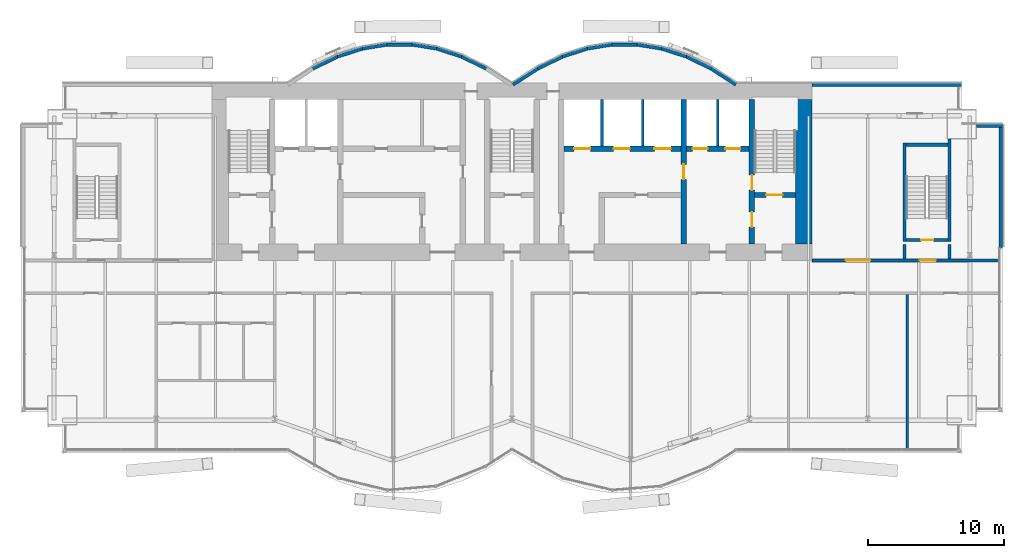
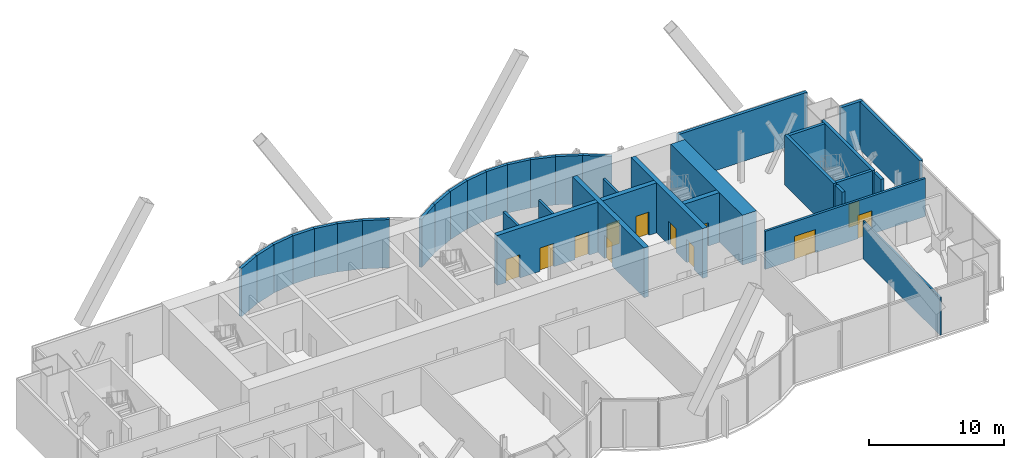
# One storey, part 15 of 19: 35 walls, 12 doors, 12 openings.
"""IFC4 building model written with IfcOpenShell, lengths in metres."""

from ifc_helpers import new_model, si_unit, direction, frame, frame_2d, origin, place, context, subcontext, project, spatial, rectangle, extrude, material, layer, layer_set, layer_usage, type_object, element, fill, save


model = new_model("IFC4")

# Units and contexts
model_context = context("Model", 3, precision=1e-05, world=origin(), true_north=direction((0.0, 1.0)))
body_context = subcontext(model_context, "Body", "Model", "MODEL_VIEW")
ifc_project = project(units=[si_unit("LENGTHUNIT", "METRE"), si_unit("AREAUNIT", "SQUARE_METRE"), si_unit("VOLUMEUNIT", "CUBIC_METRE"), si_unit("PLANEANGLEUNIT", "RADIAN"), si_unit("MASSUNIT", "GRAM", prefix="KILO")], contexts=[model_context])

# Site, building, storey
site_placement = place(None, origin())
site = spatial("IfcSite", under=ifc_project, at=site_placement, CompositionType="ELEMENT")
building_placement = place(site_placement, origin())
building = spatial("IfcBuilding", under=site, at=building_placement, Name="Bicima Exchange Tower", CompositionType="ELEMENT")
storey_placement = place(building_placement, frame((0.0, 0.0, 297.5)))
storey = spatial("IfcBuildingStorey", under=building, at=storey_placement, Name="L67", CompositionType="ELEMENT", Elevation=297.5)

# Walls
ifc_material_1 = material(Name="Gypsum board partition")
ifc_layer_1 = layer(ifc_material_1, 0.199951171875)
ifc_layer_set_1 = layer_set([ifc_layer_1], Name="Gypsum board partition")
wall_type_1 = type_object("IfcWallType", Name="Fire-rated gypsum partition 200 EI120", PredefinedType="PARTITIONING", material=ifc_layer_set_1)
for number, where, z_axis, x_axis, name in (
    (1, (6.60009765625, -4.60009765625, 0.0), (0.0, 0.0, 1.0), (0.0, 1.0, 0.0), "partition wall 18"),
    (2, (9.60009765625, -4.60009765625, 0.0), (0.0, 0.0, 1.0), (0.0, 1.0, 0.0), "partition wall 19"),
    (3, (15.10009765625, -4.60009765625, 0.0), (0.0, 0.0, 1.0), (0.0, 1.0, 0.0), "partition wall 21"),
):
    element("IfcWall", number, at=place(storey_placement, frame(where, z_axis=z_axis, x_axis=x_axis)), inside=storey, type_object=wall_type_1, Name=name, PredefinedType="PARTITIONING", context=body_context, shape_type="SweptSolid", body=[
        extrude(rectangle(XDim=3.400146484375, YDim=0.199951171875, at=frame_2d((1.7001953125, 0.0))), origin(), (0.0, 0.0, 1.0), 3.418212890625),
    ])

# Wall, openings, doors
ifc_layer_2 = layer(ifc_material_1, 0.199951171875)
ifc_layer_set_2 = layer_set([ifc_layer_2], Name="Gypsum board partition")
wall_type_2 = type_object("IfcWallType", Name="Fire-rated gypsum partition 200 EI60", PredefinedType="PARTITIONING", material=ifc_layer_set_2)
wall_1_placement = place(storey_placement, frame((22.0, -13.0, 0.0), z_axis=(0.0, 0.0, 1.0), x_axis=(1.0, 0.0, 0.0)))
wall_1 = element("IfcWall", 4, at=wall_1_placement, inside=storey, type_object=wall_type_2, Name="partition wall 6", PredefinedType="PARTITIONING", context=body_context, shape_type="SweptSolid", body=[
    extrude(rectangle(XDim=13.679931640625, YDim=0.199951171875, at=frame_2d((6.83984375, 0.0))), origin(), (0.0, 0.0, 1.0), 3.418212890625),
])
opening_1_placement = place(wall_1_placement, frame((7.89990234375, 0.0, 0.0)))
opening_1 = element("IfcOpeningElement", 5, at=opening_1_placement, cuts=wall_1, Name="Opening L67-003", PredefinedType="OPENING", context=body_context, shape_type="SweptSolid", body=[
    extrude(rectangle(XDim=1.199951171875, YDim=2.10009765625, at=frame_2d((0.60009765625, 1.050048828125))), frame((0.0, 0.11181640625, 0.0), z_axis=(0.0, -1.0, 0.0), x_axis=(1.0, 0.0, 0.0)), (0.0, 0.0, 1.0), 0.223876953125),
])
opening_2_placement = place(wall_1_placement, frame((2.5, 0.0, 0.0)))
opening_2 = element("IfcOpeningElement", 6, at=opening_2_placement, cuts=wall_1, Name="Opening L67-006", PredefinedType="OPENING", context=body_context, shape_type="SweptSolid", body=[
    extrude(rectangle(XDim=1.800048828125, YDim=2.10009765625, at=frame_2d((0.89990234375, 1.050048828125))), frame((0.0, 0.11181640625, 0.0), z_axis=(0.0, -1.0, 0.0), x_axis=(1.0, 0.0, 0.0)), (0.0, 0.0, 1.0), 0.223876953125),
])
ifc_material_2 = material(Name="Steel fire door leaf", Category="steel")
door_type_1 = type_object("IfcDoorType", Name="Door 1200 swing FD30S", OperationType="SINGLE_SWING_LEFT", PredefinedType="DOOR", material=ifc_material_2)
door_1_placement = place(opening_1_placement, origin())
door_1 = element("IfcDoor", 7, at=door_1_placement, inside=storey, type_object=door_type_1, Name="Door", OperationType="SINGLE_SWING_RIGHT", OverallHeight=2.10009765625, OverallWidth=1.199951171875, PredefinedType="DOOR", context=body_context, shape_type="SweptSolid", body=[
    extrude(rectangle(XDim=1.199951171875, YDim=2.10009765625, at=frame_2d((0.60009765625, 1.050048828125))), frame((0.0, 0.02490234375, 0.0), z_axis=(0.0, -1.0, 0.0), x_axis=(1.0, 0.0, 0.0)), (0.0, 0.0, 1.0), 0.050048828125),
])
fill(opening_1, door_1)
door_type_2 = type_object("IfcDoorType", Name="Door 1800 double swing FD30S", OperationType="DOUBLE_DOOR_SINGLE_SWING", PredefinedType="DOOR", material=ifc_material_2)
door_2_placement = place(opening_2_placement, origin())
door_2 = element("IfcDoor", 8, at=door_2_placement, inside=storey, type_object=door_type_2, Name="Door", OperationType="SINGLE_SWING_LEFT", OverallHeight=2.10009765625, OverallWidth=1.800048828125, PredefinedType="DOOR", context=body_context, shape_type="SweptSolid", body=[
    extrude(rectangle(XDim=1.800048828125, YDim=2.10009765625, at=frame_2d((0.89990234375, 1.050048828125))), frame((0.0, 0.02490234375, 0.0), z_axis=(0.0, -1.0, 0.0), x_axis=(1.0, 0.0, 0.0)), (0.0, 0.0, 1.0), 0.050048828125),
])
fill(opening_2, door_2)

# Walls
ifc_layer_3 = layer(ifc_material_1, 0.14990234375)
ifc_layer_set_3 = layer_set([ifc_layer_3], Name="Gypsum board partition")
wall_type_3 = type_object("IfcWallType", Name="Gypsum partition 150", PredefinedType="PARTITIONING", material=ifc_layer_set_3)
wall_2_placement = place(storey_placement, frame((29.0, -26.909912109375, 0.0), z_axis=(0.0, 0.0, 1.0), x_axis=(0.0, 1.0, 0.0)))
element("IfcWall", 9, at=wall_2_placement, inside=storey, type_object=wall_type_3, Name="partition wall 25", PredefinedType="PARTITIONING", context=body_context, shape_type="SweptSolid", body=[
    extrude(rectangle(XDim=11.409912109375, YDim=0.14990234375, at=frame_2d((5.705078125, 0.0))), origin(), (0.0, 0.0, 1.0), 3.418212890625),
])
ifc_material_3 = material(Name="Concrete C40/50", Category="concrete")
ifc_layer_4 = layer(ifc_material_3, 1.199951171875)
ifc_layer_set_4 = layer_set([ifc_layer_4], Name="Concrete C40/50")
wall_type_4 = type_object("IfcWallType", Name="RC core wall 1200 C40/50", PredefinedType="SHEAR", material=ifc_layer_set_4)
wall_3_placement = place(storey_placement, frame((21.39990234375, -11.800048828125, 0.0), z_axis=(0.0, 0.0, 1.0), x_axis=(0.0, 1.0, 0.0)))
element("IfcWall", 10, at=wall_3_placement, inside=storey, type_object=wall_type_4, Name="Core wall east", PredefinedType="SHEAR", context=body_context, shape_type="SweptSolid", body=[
    extrude(rectangle(XDim=10.60009765625, YDim=1.199951171875, at=frame_2d((5.300048828125, 0.0))), origin(), (0.0, 0.0, 1.0), 4.5),
])
ifc_material_4 = material(Name="Concrete C50/60", Category="concrete")
ifc_layer_5 = layer(ifc_material_4, 0.25)
ifc_layer_set_5 = layer_set([ifc_layer_5], Name="Concrete C50/60")
wall_type_5 = type_object("IfcWallType", Name="RC core wall 250 C50/60", PredefinedType="SHEAR", material=ifc_layer_set_5)
for number, where, z_axis, x_axis, name in (
    (11, (28.800048828125, -12.89990234375, 0.0), (0.0, 0.0, 1.0), (0.0, 1.0, 0.0), "stair wall 24"),
    (12, (32.10009765625, -12.89990234375, 0.0), (0.0, 0.0, 1.0), (0.0, 1.0, 0.0), "stair wall 26"),
):
    element("IfcWall", number, at=place(storey_placement, frame(where, z_axis=z_axis, x_axis=x_axis)), inside=storey, type_object=wall_type_5, Name=name, PredefinedType="SHEAR", context=body_context, shape_type="SweptSolid", body=[
        extrude(rectangle(XDim=1.0498046875, YDim=0.25, at=frame_2d((0.52490234375, 0.0))), origin(), (0.0, 0.0, 1.0), 4.5),
    ])

# Wall, openings, doors
ifc_layer_6 = layer(ifc_material_3, 0.39990234375)
ifc_layer_set_6 = layer_set([ifc_layer_6], Name="Concrete C40/50")
wall_type_6 = type_object("IfcWallType", Name="RC core wall 400 C40/50", PredefinedType="SHEAR", material=ifc_layer_set_6)
wall_4_placement = place(storey_placement, frame((3.800048828125, -4.800048828125, 0.0), z_axis=(0.0, 0.0, 1.0), x_axis=(1.0, 0.0, 0.0)))
wall_4 = element("IfcWall", 13, at=wall_4_placement, inside=storey, type_object=wall_type_6, Name="shear wall 7", PredefinedType="SHEAR", context=body_context, shape_type="SweptSolid", body=[
    extrude(rectangle(XDim=13.599853515625, YDim=0.39990234375, at=frame_2d((6.7998046875, 0.0))), origin(), (0.0, 0.0, 1.0), 4.5),
])
opening_3_placement = place(wall_4_placement, frame((0.75, 0.0, 0.0)))
opening_3 = element("IfcOpeningElement", 14, at=opening_3_placement, cuts=wall_4, Name="Opening LD-HB1-L67", PredefinedType="OPENING", context=body_context, shape_type="SweptSolid", body=[
    extrude(rectangle(XDim=1.199951171875, YDim=2.10009765625, at=frame_2d((0.60009765625, 1.050048828125))), frame((0.0, 0.2119140625, 0.0), z_axis=(0.0, -1.0, 0.0), x_axis=(1.0, 0.0, 0.0)), (0.0, 0.0, 1.0), 0.423828125),
])
opening_4_placement = place(wall_4_placement, frame((3.64990234375, 0.0, 0.0)))
opening_4 = element("IfcOpeningElement", 15, at=opening_4_placement, cuts=wall_4, Name="Opening LD-HB2-L67", PredefinedType="OPENING", context=body_context, shape_type="SweptSolid", body=[
    extrude(rectangle(XDim=1.199951171875, YDim=2.10009765625, at=frame_2d((0.60009765625, 1.050048828125))), frame((0.0, 0.2119140625, 0.0), z_axis=(0.0, -1.0, 0.0), x_axis=(1.0, 0.0, 0.0)), (0.0, 0.0, 1.0), 0.423828125),
])
opening_5_placement = place(wall_4_placement, frame((6.64990234375, 0.0, 0.0)))
opening_5 = element("IfcOpeningElement", 16, at=opening_5_placement, cuts=wall_4, Name="Opening LD-HB3-L67", PredefinedType="OPENING", context=body_context, shape_type="SweptSolid", body=[
    extrude(rectangle(XDim=1.199951171875, YDim=2.10009765625, at=frame_2d((0.60009765625, 1.050048828125))), frame((0.0, 0.2119140625, 0.0), z_axis=(0.0, -1.0, 0.0), x_axis=(1.0, 0.0, 0.0)), (0.0, 0.0, 1.0), 0.423828125),
])
opening_6_placement = place(wall_4_placement, frame((9.449951171875, 0.0, 0.0)))
opening_6 = element("IfcOpeningElement", 17, at=opening_6_placement, cuts=wall_4, Name="Opening LD-FF2-L67", PredefinedType="OPENING", context=body_context, shape_type="SweptSolid", body=[
    extrude(rectangle(XDim=1.10009765625, YDim=2.10009765625, at=frame_2d((0.550048828125, 1.050048828125))), frame((0.0, 0.2119140625, 0.0), z_axis=(0.0, -1.0, 0.0), x_axis=(1.0, 0.0, 0.0)), (0.0, 0.0, 1.0), 0.423828125),
])
opening_7_placement = place(wall_4_placement, frame((11.85009765625, 0.0, 0.0)))
opening_7 = element("IfcOpeningElement", 18, at=opening_7_placement, cuts=wall_4, Name="Opening LD-SV1-L67", PredefinedType="OPENING", context=body_context, shape_type="SweptSolid", body=[
    extrude(rectangle(XDim=1.10009765625, YDim=2.10009765625, at=frame_2d((0.550048828125, 1.050048828125))), frame((0.0, 0.2119140625, 0.0), z_axis=(0.0, -1.0, 0.0), x_axis=(1.0, 0.0, 0.0)), (0.0, 0.0, 1.0), 0.423828125),
])
ifc_material_5 = material(Name="Stainless steel", Category="steel")
door_type_3 = type_object("IfcDoorType", Name="Lift landing door 1100 sliding", OperationType="DOUBLE_DOOR_SLIDING", PredefinedType="DOOR", material=ifc_material_5)
door_3_placement = place(opening_6_placement, origin())
door_3 = element("IfcDoor", 19, at=door_3_placement, inside=storey, type_object=door_type_3, Name="Lift landing door FF2", OperationType="DOUBLE_DOOR_SLIDING", OverallHeight=2.10009765625, OverallWidth=1.10009765625, PredefinedType="DOOR", context=body_context, shape_type="SweptSolid", body=[
    extrude(rectangle(XDim=1.10009765625, YDim=2.10009765625, at=frame_2d((0.550048828125, 1.050048828125))), frame((0.0, 0.02490234375, 0.0), z_axis=(0.0, -1.0, 0.0), x_axis=(1.0, 0.0, 0.0)), (0.0, 0.0, 1.0), 0.050048828125),
])
fill(opening_6, door_3)
door_4_placement = place(opening_7_placement, origin())
door_4 = element("IfcDoor", 20, at=door_4_placement, inside=storey, type_object=door_type_3, Name="Lift landing door SV1", OperationType="DOUBLE_DOOR_SLIDING", OverallHeight=2.10009765625, OverallWidth=1.10009765625, PredefinedType="DOOR", context=body_context, shape_type="SweptSolid", body=[
    extrude(rectangle(XDim=1.10009765625, YDim=2.10009765625, at=frame_2d((0.550048828125, 1.050048828125))), frame((0.0, 0.02490234375, 0.0), z_axis=(0.0, -1.0, 0.0), x_axis=(1.0, 0.0, 0.0)), (0.0, 0.0, 1.0), 0.050048828125),
])
fill(opening_7, door_4)
door_type_4 = type_object("IfcDoorType", Name="Lift landing door 1200 sliding", OperationType="DOUBLE_DOOR_SLIDING", PredefinedType="DOOR", material=ifc_material_5)
door_5_placement = place(opening_3_placement, origin())
door_5 = element("IfcDoor", 21, at=door_5_placement, inside=storey, type_object=door_type_4, Name="Lift landing door HB1", OperationType="DOUBLE_DOOR_SLIDING", OverallHeight=2.10009765625, OverallWidth=1.199951171875, PredefinedType="DOOR", context=body_context, shape_type="SweptSolid", body=[
    extrude(rectangle(XDim=1.199951171875, YDim=2.10009765625, at=frame_2d((0.60009765625, 1.050048828125))), frame((0.0, 0.02490234375, 0.0), z_axis=(0.0, -1.0, 0.0), x_axis=(1.0, 0.0, 0.0)), (0.0, 0.0, 1.0), 0.050048828125),
])
fill(opening_3, door_5)
door_6_placement = place(opening_4_placement, origin())
door_6 = element("IfcDoor", 22, at=door_6_placement, inside=storey, type_object=door_type_4, Name="Lift landing door HB2", OperationType="DOUBLE_DOOR_SLIDING", OverallHeight=2.10009765625, OverallWidth=1.199951171875, PredefinedType="DOOR", context=body_context, shape_type="SweptSolid", body=[
    extrude(rectangle(XDim=1.199951171875, YDim=2.10009765625, at=frame_2d((0.60009765625, 1.050048828125))), frame((0.0, 0.02490234375, 0.0), z_axis=(0.0, -1.0, 0.0), x_axis=(1.0, 0.0, 0.0)), (0.0, 0.0, 1.0), 0.050048828125),
])
fill(opening_4, door_6)
door_7_placement = place(opening_5_placement, origin())
door_7 = element("IfcDoor", 23, at=door_7_placement, inside=storey, type_object=door_type_4, Name="Lift landing door HB3", OperationType="DOUBLE_DOOR_SLIDING", OverallHeight=2.10009765625, OverallWidth=1.199951171875, PredefinedType="DOOR", context=body_context, shape_type="SweptSolid", body=[
    extrude(rectangle(XDim=1.199951171875, YDim=2.10009765625, at=frame_2d((0.60009765625, 1.050048828125))), frame((0.0, 0.02490234375, 0.0), z_axis=(0.0, -1.0, 0.0), x_axis=(1.0, 0.0, 0.0)), (0.0, 0.0, 1.0), 0.050048828125),
])
fill(opening_5, door_7)

# Wall, opening, door
wall_5_placement = place(storey_placement, frame((12.60009765625, -11.800048828125, 0.0), z_axis=(0.0, 0.0, 1.0), x_axis=(0.0, 1.0, 0.0)))
wall_5 = element("IfcWall", 24, at=wall_5_placement, inside=storey, type_object=wall_type_6, Name="shear wall 20", PredefinedType="SHEAR", context=body_context, shape_type="SweptSolid", body=[
    extrude(rectangle(XDim=10.60009765625, YDim=0.39990234375, at=frame_2d((5.300048828125, 0.0))), origin(), (0.0, 0.0, 1.0), 4.5),
])
opening_8_placement = place(wall_5_placement, frame((4.75, 0.0, 0.0)))
opening_8 = element("IfcOpeningElement", 25, at=opening_8_placement, cuts=wall_5, Name="Opening L67-C09", PredefinedType="OPENING", context=body_context, shape_type="SweptSolid", body=[
    extrude(rectangle(XDim=1.10009765625, YDim=2.10009765625, at=frame_2d((0.550048828125, 1.050048828125))), frame((0.0, 0.2119140625, 0.0), z_axis=(0.0, -1.0, 0.0), x_axis=(1.0, 0.0, 0.0)), (0.0, 0.0, 1.0), 0.423828125),
])
door_type_5 = type_object("IfcDoorType", Name="Door 1100 swing FD60S", OperationType="SINGLE_SWING_LEFT", PredefinedType="DOOR", material=ifc_material_2)
door_8_placement = place(opening_8_placement, frame((1.10009765625, 0.0, 0.0), z_axis=(0.0, 0.0, 1.0), x_axis=(-1.0, 0.0, 0.0)))
door_8 = element("IfcDoor", 26, at=door_8_placement, inside=storey, type_object=door_type_5, Name="Core door", OperationType="SINGLE_SWING_RIGHT", OverallHeight=2.10009765625, OverallWidth=1.10009765625, PredefinedType="DOOR", context=body_context, shape_type="SweptSolid", body=[
    extrude(rectangle(XDim=1.10009765625, YDim=2.10009765625, at=frame_2d((0.550048828125, 1.050048828125))), frame((0.0, 0.02490234375, 0.0), z_axis=(0.0, -1.0, 0.0), x_axis=(1.0, 0.0, 0.0)), (0.0, 0.0, 1.0), 0.050048828125),
])
fill(opening_8, door_8)

ifc_layer_7 = layer(ifc_material_4, 0.39990234375)
ifc_layer_set_7 = layer_set([ifc_layer_7], Name="Concrete C50/60")
wall_type_7 = type_object("IfcWallType", Name="RC core wall 400 C50/60", PredefinedType="SHEAR", material=ifc_layer_set_7)
wall_6_placement = place(storey_placement, frame((17.800048828125, -8.199951171875, 0.0), z_axis=(0.0, 0.0, 1.0), x_axis=(1.0, 0.0, 0.0)))
wall_6 = element("IfcWall", 27, at=wall_6_placement, inside=storey, type_object=wall_type_7, Name="stair wall 5", PredefinedType="SHEAR", context=body_context, shape_type="SweptSolid", body=[
    extrude(rectangle(XDim=3.0, YDim=0.39990234375, at=frame_2d((1.5, 0.0))), origin(), (0.0, 0.0, 1.0), 4.5),
])
opening_9_placement = place(wall_6_placement, frame((0.85009765625, 0.0, 0.0)))
opening_9 = element("IfcOpeningElement", 28, at=opening_9_placement, cuts=wall_6, Name="Opening L67-C04", PredefinedType="OPENING", context=body_context, shape_type="SweptSolid", body=[
    extrude(rectangle(XDim=1.199951171875, YDim=2.10009765625, at=frame_2d((0.60009765625, 1.050048828125))), frame((0.0, 0.2119140625, 0.0), z_axis=(0.0, -1.0, 0.0), x_axis=(1.0, 0.0, 0.0)), (0.0, 0.0, 1.0), 0.423828125),
])
door_type_6 = type_object("IfcDoorType", Name="Door 1200 swing FD60S", OperationType="SINGLE_SWING_LEFT", PredefinedType="DOOR", material=ifc_material_2)
door_9_placement = place(opening_9_placement, origin())
door_9 = element("IfcDoor", 29, at=door_9_placement, inside=storey, type_object=door_type_6, Name="Core door", OperationType="SINGLE_SWING_RIGHT", OverallHeight=2.10009765625, OverallWidth=1.199951171875, PredefinedType="DOOR", context=body_context, shape_type="SweptSolid", body=[
    extrude(rectangle(XDim=1.199951171875, YDim=2.10009765625, at=frame_2d((0.60009765625, 1.050048828125))), frame((0.0, 0.02490234375, 0.0), z_axis=(0.0, -1.0, 0.0), x_axis=(1.0, 0.0, 0.0)), (0.0, 0.0, 1.0), 0.050048828125),
])
fill(opening_9, door_9)

# Wall, openings, doors
wall_7_placement = place(storey_placement, frame((17.60009765625, -11.800048828125, 0.0), z_axis=(0.0, 0.0, 1.0), x_axis=(0.0, 1.0, 0.0)))
wall_7 = element("IfcWall", 30, at=wall_7_placement, inside=storey, type_object=wall_type_7, Name="stair wall 22", PredefinedType="SHEAR", context=body_context, shape_type="SweptSolid", body=[
    extrude(rectangle(XDim=10.60009765625, YDim=0.39990234375, at=frame_2d((5.300048828125, 0.0))), origin(), (0.0, 0.0, 1.0), 4.5),
])
opening_10_placement = place(wall_7_placement, frame((1.25, 0.0, 0.0)))
opening_10 = element("IfcOpeningElement", 31, at=opening_10_placement, cuts=wall_7, Name="Opening L67-C05", PredefinedType="OPENING", context=body_context, shape_type="SweptSolid", body=[
    extrude(rectangle(XDim=1.10009765625, YDim=2.10009765625, at=frame_2d((0.550048828125, 1.050048828125))), frame((0.0, 0.2119140625, 0.0), z_axis=(0.0, -1.0, 0.0), x_axis=(1.0, 0.0, 0.0)), (0.0, 0.0, 1.0), 0.423828125),
])
opening_11_placement = place(wall_7_placement, frame((3.949951171875, 0.0, 0.0)))
opening_11 = element("IfcOpeningElement", 32, at=opening_11_placement, cuts=wall_7, Name="Opening L67-C08", PredefinedType="OPENING", context=body_context, shape_type="SweptSolid", body=[
    extrude(rectangle(XDim=1.10009765625, YDim=2.10009765625, at=frame_2d((0.550048828125, 1.050048828125))), frame((0.0, 0.2119140625, 0.0), z_axis=(0.0, -1.0, 0.0), x_axis=(1.0, 0.0, 0.0)), (0.0, 0.0, 1.0), 0.423828125),
])
door_10_placement = place(opening_10_placement, origin())
door_10 = element("IfcDoor", 33, at=door_10_placement, inside=storey, type_object=door_type_5, Name="Core door", OperationType="SINGLE_SWING_LEFT", OverallHeight=2.10009765625, OverallWidth=1.10009765625, PredefinedType="DOOR", context=body_context, shape_type="SweptSolid", body=[
    extrude(rectangle(XDim=1.10009765625, YDim=2.10009765625, at=frame_2d((0.550048828125, 1.050048828125))), frame((0.0, 0.02490234375, 0.0), z_axis=(0.0, -1.0, 0.0), x_axis=(1.0, 0.0, 0.0)), (0.0, 0.0, 1.0), 0.050048828125),
])
fill(opening_10, door_10)
door_11_placement = place(opening_11_placement, origin())
door_11 = element("IfcDoor", 34, at=door_11_placement, inside=storey, type_object=door_type_5, Name="Core door", OperationType="SINGLE_SWING_RIGHT", OverallHeight=2.10009765625, OverallWidth=1.10009765625, PredefinedType="DOOR", context=body_context, shape_type="SweptSolid", body=[
    extrude(rectangle(XDim=1.10009765625, YDim=2.10009765625, at=frame_2d((0.550048828125, 1.050048828125))), frame((0.0, 0.02490234375, 0.0), z_axis=(0.0, -1.0, 0.0), x_axis=(1.0, 0.0, 0.0)), (0.0, 0.0, 1.0), 0.050048828125),
])
fill(opening_11, door_11)

# Walls
ifc_layer_8 = layer(ifc_material_4, 0.25)
ifc_layer_set_8 = layer_set([ifc_layer_8], Name="Concrete C50/60")
wall_type_8 = type_object("IfcWallType", Name="RC stair enclosure wall 250 C50/60", PredefinedType="SHEAR", material=ifc_layer_set_8)
wall_8_placement = place(storey_placement, frame((28.800048828125, -11.625, 0.0), z_axis=(0.0, 0.0, 1.0), x_axis=(0.0, 1.0, 0.0)))
element("IfcWall", 35, at=wall_8_placement, inside=storey, type_object=wall_type_8, Name="East end exit stair wall W", PredefinedType="SHEAR", context=body_context, shape_type="SweptSolid", body=[
    extrude(rectangle(XDim=7.25, YDim=0.25, at=frame_2d((3.625, 0.0))), origin(), (0.0, 0.0, 1.0), 4.5),
])
wall_9_placement = place(storey_placement, frame((32.10009765625, -11.625, 0.0), z_axis=(0.0, 0.0, 1.0), x_axis=(0.0, 1.0, 0.0)))
element("IfcWall", 36, at=wall_9_placement, inside=storey, type_object=wall_type_8, Name="East end exit stair wall E", PredefinedType="SHEAR", context=body_context, shape_type="SweptSolid", body=[
    extrude(rectangle(XDim=7.52490234375, YDim=0.25, at=frame_2d((3.762451171875, 0.0))), origin(), (0.0, 0.0, 1.0), 4.5),
])

# Wall, opening, door
wall_10_placement = place(storey_placement, frame((28.925048828125, -11.5, 0.0), z_axis=(0.0, 0.0, 1.0), x_axis=(1.0, 0.0, 0.0)))
wall_10 = element("IfcWall", 37, at=wall_10_placement, inside=storey, type_object=wall_type_8, Name="East end exit stair wall S", PredefinedType="SHEAR", context=body_context, shape_type="SweptSolid", body=[
    extrude(rectangle(XDim=3.050048828125, YDim=0.25, at=frame_2d((1.52490234375, 0.0))), origin(), (0.0, 0.0, 1.0), 4.5),
])
opening_12_placement = place(wall_10_placement, frame((1.10009765625, 0.0, 0.0)))
opening_12 = element("IfcOpeningElement", 38, at=opening_12_placement, cuts=wall_10, Name="Opening L67-004", PredefinedType="OPENING", context=body_context, shape_type="SweptSolid", body=[
    extrude(rectangle(XDim=0.89990234375, YDim=2.10009765625, at=frame_2d((0.449951171875, 1.050048828125))), frame((0.0, 0.136962890625, 0.0), z_axis=(0.0, -1.0, 0.0), x_axis=(1.0, 0.0, 0.0)), (0.0, 0.0, 1.0), 0.27392578125),
])
door_type_7 = type_object("IfcDoorType", Name="Door 900 swing FD60S", OperationType="SINGLE_SWING_LEFT", PredefinedType="DOOR", material=ifc_material_2)
door_12_placement = place(opening_12_placement, origin())
door_12 = element("IfcDoor", 39, at=door_12_placement, inside=storey, type_object=door_type_7, Name="Door", OperationType="SINGLE_SWING_LEFT", OverallHeight=2.10009765625, OverallWidth=0.89990234375, PredefinedType="DOOR", context=body_context, shape_type="SweptSolid", body=[
    extrude(rectangle(XDim=0.89990234375, YDim=2.10009765625, at=frame_2d((0.449951171875, 1.050048828125))), frame((0.0, 0.02490234375, 0.0), z_axis=(0.0, -1.0, 0.0), x_axis=(1.0, 0.0, 0.0)), (0.0, 0.0, 1.0), 0.050048828125),
])
fill(opening_12, door_12)

# Walls
wall_11_placement = place(storey_placement, frame((28.925048828125, -4.5, 0.0), z_axis=(0.0, 0.0, 1.0), x_axis=(1.0, 0.0, 0.0)))
element("IfcWall", 40, at=wall_11_placement, inside=storey, type_object=wall_type_8, Name="East end exit stair wall N", PredefinedType="SHEAR", context=body_context, shape_type="SweptSolid", body=[
    extrude(rectangle(XDim=3.050048828125, YDim=0.25, at=frame_2d((1.52490234375, 0.0))), origin(), (0.0, 0.0, 1.0), 4.5),
])
ifc_layer_9 = layer(ifc_material_3, 0.25)
ifc_layer_set_9 = layer_set([ifc_layer_9], Name="Concrete C40/50")
ifc_layer_usage = layer_usage(ifc_layer_set_9, "AXIS2", "POSITIVE", -0.125)
wall_type_9 = type_object("IfcWallType", Name="Rear backup wall 250", PredefinedType="STANDARD", material=ifc_layer_set_9)
wall_12_placement = place(storey_placement, frame((33.0, -0.125, 0.0), z_axis=(0.0, 0.0, 1.0), x_axis=(-1.0, 0.0, 0.0)))
element("IfcWall", 41, at=wall_12_placement, inside=storey, type_object=wall_type_9, material=ifc_layer_usage, Name="Rear backup wall L67 1", PredefinedType="STANDARD", context=body_context, shape_type="SweptSolid", body=[
    extrude(rectangle(XDim=11.0, YDim=0.25, at=frame_2d((5.5, 0.0))), origin(), (0.0, 0.0, 1.0), 4.35009765625),
])
wall_13_placement = place(storey_placement, frame((16.43212890625, -0.10498046875, 0.0), z_axis=(0.0, 0.0, 1.0), x_axis=(-0.83981312244, 0.542875602121, 0.0)))
element("IfcWall", 42, at=wall_13_placement, inside=storey, type_object=wall_type_9, material=ifc_layer_usage, Name="Rear backup wall L67 2", PredefinedType="STANDARD", context=body_context, shape_type="SweptSolid", body=[
    extrude(rectangle(XDim=2.182861328125, YDim=0.25, at=frame_2d((1.09130859375, 0.0))), origin(), (0.0, 0.0, 1.0), 4.35009765625),
])
wall_14_placement = place(storey_placement, frame((14.6123046875, 1.07275390625, 0.0), z_axis=(0.0, 0.0, 1.0), x_axis=(-0.89982408427, 0.436252928206, 0.0)))
element("IfcWall", 43, at=wall_14_placement, inside=storey, type_object=wall_type_9, material=ifc_layer_usage, Name="Rear backup wall L67 3", PredefinedType="STANDARD", context=body_context, shape_type="SweptSolid", body=[
    extrude(rectangle(XDim=2.03759765625, YDim=0.25, at=frame_2d((1.018798828125, 0.0))), origin(), (0.0, 0.0, 1.0), 4.35009765625),
])
wall_15_placement = place(storey_placement, frame((12.794921875, 1.955078125, 0.0), z_axis=(0.0, 0.0, 1.0), x_axis=(-0.951495806175, 0.307661714928, 0.0)))
element("IfcWall", 44, at=wall_15_placement, inside=storey, type_object=wall_type_9, material=ifc_layer_usage, Name="Rear backup wall L67 4", PredefinedType="STANDARD", context=body_context, shape_type="SweptSolid", body=[
    extrude(rectangle(XDim=1.9267578125, YDim=0.25, at=frame_2d((0.96337890625, 0.0))), origin(), (0.0, 0.0, 1.0), 4.35009765625),
])
wall_16_placement = place(storey_placement, frame((10.97998046875, 2.543212890625, 0.0), z_axis=(0.0, 0.0, 1.0), x_axis=(-0.987181718931, 0.159600293885, 0.0)))
element("IfcWall", 45, at=wall_16_placement, inside=storey, type_object=wall_type_9, material=ifc_layer_usage, Name="Rear backup wall L67 5", PredefinedType="STANDARD", context=body_context, shape_type="SweptSolid", body=[
    extrude(rectangle(XDim=1.857177734375, YDim=0.25, at=frame_2d((0.9287109375, 0.0))), origin(), (0.0, 0.0, 1.0), 4.35009765625),
])
wall_17_placement = place(storey_placement, frame((9.166748046875, 2.837890625, 0.0), z_axis=(0.0, 0.0, 1.0), x_axis=(-1.0, 0.0, 0.0)))
element("IfcWall", 46, at=wall_17_placement, inside=storey, type_object=wall_type_9, material=ifc_layer_usage, Name="Rear backup wall L67 6", PredefinedType="STANDARD", context=body_context, shape_type="SweptSolid", body=[
    extrude(rectangle(XDim=1.83349609375, YDim=0.25, at=frame_2d((0.916748046875, 0.0))), origin(), (0.0, 0.0, 1.0), 4.35009765625),
])
wall_18_placement = place(storey_placement, frame((7.353271484375, 2.839599609375, 0.0), z_axis=(0.0, 0.0, 1.0), x_axis=(-0.987181718931, -0.159600293885, 0.0)))
element("IfcWall", 47, at=wall_18_placement, inside=storey, type_object=wall_type_9, material=ifc_layer_usage, Name="Rear backup wall L67 7", PredefinedType="STANDARD", context=body_context, shape_type="SweptSolid", body=[
    extrude(rectangle(XDim=1.857177734375, YDim=0.25, at=frame_2d((0.9287109375, 0.0))), origin(), (0.0, 0.0, 1.0), 4.35009765625),
])
wall_19_placement = place(storey_placement, frame((5.538330078125, 2.5478515625, 0.0), z_axis=(0.0, 0.0, 1.0), x_axis=(-0.951495806175, -0.307661714928, 0.0)))
element("IfcWall", 48, at=wall_19_placement, inside=storey, type_object=wall_type_9, material=ifc_layer_usage, Name="Rear backup wall L67 8", PredefinedType="STANDARD", context=body_context, shape_type="SweptSolid", body=[
    extrude(rectangle(XDim=1.9267578125, YDim=0.25, at=frame_2d((0.96337890625, 0.0))), origin(), (0.0, 0.0, 1.0), 4.35009765625),
])
wall_20_placement = place(storey_placement, frame((3.72119140625, 1.961669921875, 0.0), z_axis=(0.0, 0.0, 1.0), x_axis=(-0.89982408427, -0.436252928206, 0.0)))
element("IfcWall", 49, at=wall_20_placement, inside=storey, type_object=wall_type_9, material=ifc_layer_usage, Name="Rear backup wall L67 9", PredefinedType="STANDARD", context=body_context, shape_type="SweptSolid", body=[
    extrude(rectangle(XDim=2.03759765625, YDim=0.25, at=frame_2d((1.018798828125, 0.0))), origin(), (0.0, 0.0, 1.0), 4.35009765625),
])
wall_21_placement = place(storey_placement, frame((1.901123046875, 1.080078125, 0.0), z_axis=(0.0, 0.0, 1.0), x_axis=(-0.83981312244, -0.542875602121, 0.0)))
element("IfcWall", 50, at=wall_21_placement, inside=storey, type_object=wall_type_9, material=ifc_layer_usage, Name="Rear backup wall L67 10", PredefinedType="STANDARD", context=body_context, shape_type="SweptSolid", body=[
    extrude(rectangle(XDim=2.182861328125, YDim=0.25, at=frame_2d((1.09130859375, 0.0))), origin(), (0.0, 0.0, 1.0), 4.35009765625),
])
wall_22_placement = place(storey_placement, frame((-1.8876953125, 1.07275390625, 0.0), z_axis=(0.0, 0.0, 1.0), x_axis=(-0.89982408427, 0.436252928206, 0.0)))
element("IfcWall", 51, at=wall_22_placement, inside=storey, type_object=wall_type_9, material=ifc_layer_usage, Name="Rear backup wall L67 12", PredefinedType="STANDARD", context=body_context, shape_type="SweptSolid", body=[
    extrude(rectangle(XDim=2.03759765625, YDim=0.25, at=frame_2d((1.018798828125, 0.0))), origin(), (0.0, 0.0, 1.0), 4.35009765625),
])
wall_23_placement = place(storey_placement, frame((-3.705078125, 1.955078125, 0.0), z_axis=(0.0, 0.0, 1.0), x_axis=(-0.951495806175, 0.307661714928, 0.0)))
element("IfcWall", 52, at=wall_23_placement, inside=storey, type_object=wall_type_9, material=ifc_layer_usage, Name="Rear backup wall L67 13", PredefinedType="STANDARD", context=body_context, shape_type="SweptSolid", body=[
    extrude(rectangle(XDim=1.9267578125, YDim=0.25, at=frame_2d((0.96337890625, 0.0))), origin(), (0.0, 0.0, 1.0), 4.35009765625),
])
wall_24_placement = place(storey_placement, frame((-5.52001953125, 2.543212890625, 0.0), z_axis=(0.0, 0.0, 1.0), x_axis=(-0.987181718931, 0.159600293885, 0.0)))
element("IfcWall", 53, at=wall_24_placement, inside=storey, type_object=wall_type_9, material=ifc_layer_usage, Name="Rear backup wall L67 14", PredefinedType="STANDARD", context=body_context, shape_type="SweptSolid", body=[
    extrude(rectangle(XDim=1.857177734375, YDim=0.25, at=frame_2d((0.9287109375, 0.0))), origin(), (0.0, 0.0, 1.0), 4.35009765625),
])
wall_25_placement = place(storey_placement, frame((-7.333251953125, 2.837890625, 0.0), z_axis=(0.0, 0.0, 1.0), x_axis=(-1.0, 0.0, 0.0)))
element("IfcWall", 54, at=wall_25_placement, inside=storey, type_object=wall_type_9, material=ifc_layer_usage, Name="Rear backup wall L67 15", PredefinedType="STANDARD", context=body_context, shape_type="SweptSolid", body=[
    extrude(rectangle(XDim=1.83349609375, YDim=0.25, at=frame_2d((0.916748046875, 0.0))), origin(), (0.0, 0.0, 1.0), 4.35009765625),
])
wall_26_placement = place(storey_placement, frame((-9.146728515625, 2.839599609375, 0.0), z_axis=(0.0, 0.0, 1.0), x_axis=(-0.987181718931, -0.159600293885, 0.0)))
element("IfcWall", 55, at=wall_26_placement, inside=storey, type_object=wall_type_9, material=ifc_layer_usage, Name="Rear backup wall L67 16", PredefinedType="STANDARD", context=body_context, shape_type="SweptSolid", body=[
    extrude(rectangle(XDim=1.857177734375, YDim=0.25, at=frame_2d((0.9287109375, 0.0))), origin(), (0.0, 0.0, 1.0), 4.35009765625),
])
wall_27_placement = place(storey_placement, frame((-10.961669921875, 2.5478515625, 0.0), z_axis=(0.0, 0.0, 1.0), x_axis=(-0.951495806175, -0.307661714928, 0.0)))
element("IfcWall", 56, at=wall_27_placement, inside=storey, type_object=wall_type_9, material=ifc_layer_usage, Name="Rear backup wall L67 17", PredefinedType="STANDARD", context=body_context, shape_type="SweptSolid", body=[
    extrude(rectangle(XDim=1.9267578125, YDim=0.25, at=frame_2d((0.96337890625, 0.0))), origin(), (0.0, 0.0, 1.0), 4.35009765625),
])
wall_28_placement = place(storey_placement, frame((-12.77880859375, 1.961669921875, 0.0), z_axis=(0.0, 0.0, 1.0), x_axis=(-0.89982408427, -0.436252928206, 0.0)))
element("IfcWall", 57, at=wall_28_placement, inside=storey, type_object=wall_type_9, material=ifc_layer_usage, Name="Rear backup wall L67 18", PredefinedType="STANDARD", context=body_context, shape_type="SweptSolid", body=[
    extrude(rectangle(XDim=2.03759765625, YDim=0.25, at=frame_2d((1.018798828125, 0.0))), origin(), (0.0, 0.0, 1.0), 4.35009765625),
])
wall_29_placement = place(storey_placement, frame((35.875, -12.090087890625, 0.0), z_axis=(0.0, 0.0, 1.0), x_axis=(0.0, 1.0, 0.0)))
element("IfcWall", 58, at=wall_29_placement, inside=storey, type_object=wall_type_9, material=ifc_layer_usage, Name="Rear backup wall L67 50", PredefinedType="STANDARD", context=body_context, shape_type="SweptSolid", body=[
    extrude(rectangle(XDim=9.090087890625, YDim=0.25, at=frame_2d((4.544921875, 0.0))), origin(), (0.0, 0.0, 1.0), 4.35009765625),
])
wall_30_placement = place(storey_placement, frame((36.0, -3.125, 0.0), z_axis=(0.0, 0.0, 1.0), x_axis=(-1.0, 0.0, 0.0)))
element("IfcWall", 59, at=wall_30_placement, inside=storey, type_object=wall_type_9, material=ifc_layer_usage, Name="Rear backup wall L67 51", PredefinedType="STANDARD", context=body_context, shape_type="SweptSolid", body=[
    extrude(rectangle(XDim=1.89990234375, YDim=0.25, at=frame_2d((0.949951171875, 0.0))), origin(), (0.0, 0.0, 1.0), 4.35009765625),
])

save(model, "model.ifc")
